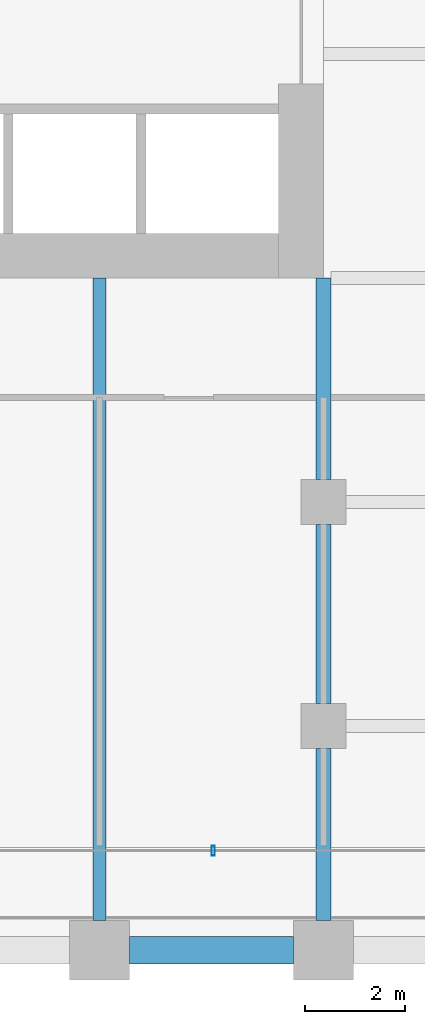
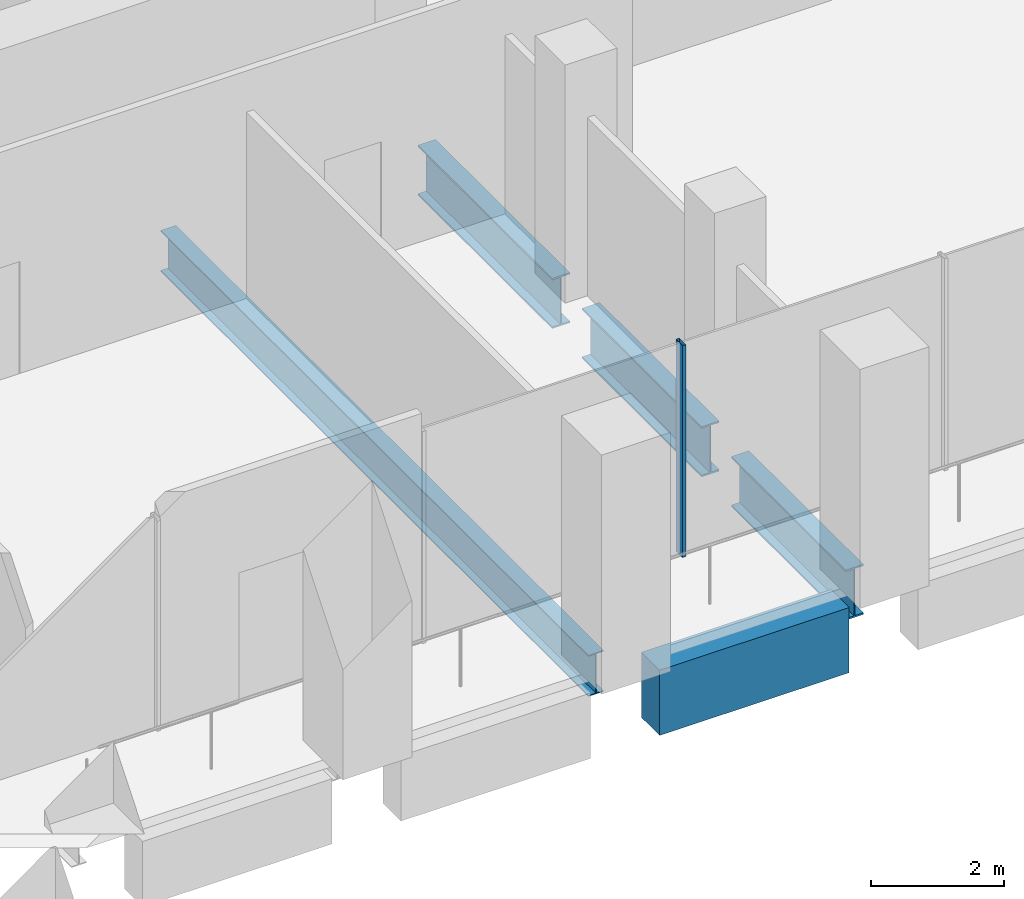
# One storey, part 6 of 36: 5 beams, 1 member, 1 element without a shape of its own.
"""IFC4 building model written with IfcOpenShell, lengths in metres."""

from ifc_helpers import new_model, si_unit, direction, frame, origin, origin_2d, place, context, subcontext, project, spatial, rectangle, hollow_rectangle, i_section, extrude, material, material_profile, profile_set, type_object, element, aggregate, save


model = new_model("IFC4")

# Units and contexts
model_context = context("Model", 3, precision=1e-05, world=origin(), true_north=direction((0.0, 1.0)))
body_context = subcontext(model_context, "Body", "Model", "MODEL_VIEW")
ifc_project = project(units=[si_unit("LENGTHUNIT", "METRE"), si_unit("AREAUNIT", "SQUARE_METRE"), si_unit("VOLUMEUNIT", "CUBIC_METRE"), si_unit("PLANEANGLEUNIT", "RADIAN"), si_unit("MASSUNIT", "GRAM", prefix="KILO")], contexts=[model_context])

# Site, building, storey
site_placement = place(None, origin())
site = spatial("IfcSite", under=ifc_project, at=site_placement, CompositionType="ELEMENT")
building_placement = place(site_placement, origin())
building = spatial("IfcBuilding", under=site, at=building_placement, Name="Altepetl Exchange Towers", CompositionType="ELEMENT")
storey_placement = place(building_placement, frame((0.0, 0.0, 29.800048828125)))
storey = spatial("IfcBuildingStorey", under=building, at=storey_placement, Name="L06", CompositionType="ELEMENT", Elevation=29.800048828125)

# Beams
ifc_material_1 = material(Name="Steel S355", Category="steel")
ifc_material_profile_1 = material_profile(ifc_material_1, i_section(OverallWidth=0.26611328125, OverallDepth=0.758056640625, WebThickness=0.013916015625, FlangeThickness=0.019287109375, at=origin_2d()), Name="W30X108")
ifc_profile_set_1 = profile_set([ifc_material_profile_1], Name="Steel S355")
beam_type_1 = type_object("IfcBeamType", Name="Floor beam W30X108", PredefinedType="BEAM", material=ifc_profile_set_1)
beam_1_placement = place(storey_placement, frame((54.0, 27.60009765625, -0.553955078125), z_axis=(0.0, 1.0, 0.0), x_axis=(-1.0, 0.0, 0.0)))
element("IfcBeam", 1, at=beam_1_placement, inside=storey, type_object=beam_type_1, Name="bm:A:L06:017", PredefinedType="BEAM", context=body_context, shape_type="SweptSolid", body=[
    extrude(i_section(OverallWidth=0.26611328125, OverallDepth=0.758056640625, WebThickness=0.013916015625, FlangeThickness=0.019287109375, at=origin_2d()), origin(), (0.0, 0.0, 1.0), 12.89990234375),
])
ifc_material_profile_2 = material_profile(ifc_material_1, i_section(OverallWidth=0.306884765625, OverallDepth=0.923095703125, WebThickness=0.018310546875, FlangeThickness=0.030029296875, at=origin_2d()), Name="W36X182")
ifc_profile_set_2 = profile_set([ifc_material_profile_2], Name="Steel S355")
beam_type_2 = type_object("IfcBeamType", Name="Girder W36X182", PredefinedType="BEAM", material=ifc_profile_set_2)
beam_2_placement = place(storey_placement, frame((58.5, 40.5, -0.636474609375), z_axis=(0.0, -1.0, 0.0), x_axis=(1.0, 0.0, 0.0)))
element("IfcBeam", 2, at=beam_2_placement, inside=storey, type_object=beam_type_2, Name="gd:A:L06:006", PredefinedType="BEAM", context=body_context, shape_type="SweptSolid", body=[
    extrude(i_section(OverallWidth=0.306884765625, OverallDepth=0.923095703125, WebThickness=0.018310546875, FlangeThickness=0.030029296875, at=origin_2d()), origin(), (0.0, 0.0, 1.0), 4.050048828125),
])
beam_3_placement = place(storey_placement, frame((58.5, 35.550048828125, -0.636474609375), z_axis=(0.0, -1.0, 0.0), x_axis=(1.0, 0.0, 0.0)))
element("IfcBeam", 3, at=beam_3_placement, inside=storey, type_object=beam_type_2, Name="gd:A:L06:007", PredefinedType="BEAM", context=body_context, shape_type="SweptSolid", body=[
    extrude(i_section(OverallWidth=0.306884765625, OverallDepth=0.923095703125, WebThickness=0.018310546875, FlangeThickness=0.030029296875, at=origin_2d()), origin(), (0.0, 0.0, 1.0), 3.60009765625),
])
beam_4_placement = place(storey_placement, frame((58.5, 31.050048828125, -0.636474609375), z_axis=(0.0, -1.0, 0.0), x_axis=(1.0, 0.0, 0.0)))
element("IfcBeam", 4, at=beam_4_placement, inside=storey, type_object=beam_type_2, Name="gd:A:L06:008", PredefinedType="BEAM", context=body_context, shape_type="SweptSolid", body=[
    extrude(i_section(OverallWidth=0.306884765625, OverallDepth=0.923095703125, WebThickness=0.018310546875, FlangeThickness=0.030029296875, at=origin_2d()), origin(), (0.0, 0.0, 1.0), 3.449951171875),
])

# Curtain wall, member
ifc_material_2 = material(Name="Aluminium 6063-T6 glazing", Category="aluminium")
curtain_wall_type = type_object("IfcCurtainWallType", Name="Trading floor glazing system", PredefinedType="NOTDEFINED", material=ifc_material_2)
curtain_wall_placement = place(storey_placement, origin())
curtain_wall = element("IfcCurtainWall", 5, at=curtain_wall_placement, inside=storey, type_object=curtain_wall_type, Name="CW2 run", PredefinedType="NOTDEFINED")
ifc_material_3 = material(Name="Aluminium 6063-T6", Category="aluminium")
ifc_material_profile_3 = material_profile(ifc_material_3, hollow_rectangle(XDim=0.06005859375, YDim=0.199951171875, WallThickness=0.0029296875, at=origin_2d()), Name="Mullion 60x200 aluminium")
ifc_profile_set_3 = profile_set([ifc_material_profile_3], Name="Aluminium 6063-T6")
member_type = type_object("IfcMemberType", Name="Mullion 60x200 aluminium", PredefinedType="MULLION", material=ifc_profile_set_3)
member_placement = place(storey_placement, frame((56.28564453125, 29.0, 0.0)))
member = element("IfcMember", 6, at=member_placement, type_object=member_type, Name="MU2 mullion", PredefinedType="MULLION", context=body_context, shape_type="SweptSolid", body=[
    extrude(hollow_rectangle(XDim=0.06005859375, YDim=0.199951171875, WallThickness=0.0029296875, at=origin_2d()), origin(), (0.0, 0.0, 1.0), 3.89990234375),
])
aggregate(curtain_wall, [member])

# Beam
ifc_material_4 = material(Name="Concrete C50/60 precast with cantera blanca facing", Category="concrete")
ifc_material_profile_4 = material_profile(ifc_material_4, rectangle(XDim=0.550048828125, YDim=1.199951171875, at=origin_2d()), Name="550 x 1200")
ifc_profile_set_4 = profile_set([ifc_material_profile_4], Name="Concrete C50/60 precast with cantera blanca facing")
beam_type_3 = type_object("IfcBeamType", Name="Spandrel beam 550x1200 cantera blanca", PredefinedType="SPANDREL", material=ifc_profile_set_4)
beam_5_placement = place(storey_placement, frame((54.60009765625, 27.0, -0.775146484375), z_axis=(1.0, 0.0, 0.0), x_axis=(0.0, 1.0, 0.0)))
element("IfcBeam", 7, at=beam_5_placement, inside=storey, type_object=beam_type_3, Name="sp:A:L06:005", PredefinedType="SPANDREL", context=body_context, shape_type="SweptSolid", body=[
    extrude(rectangle(XDim=0.550048828125, YDim=1.199951171875, at=origin_2d()), origin(), (0.0, 0.0, 1.0), 3.2998046875),
])

save(model, "model.ifc")
